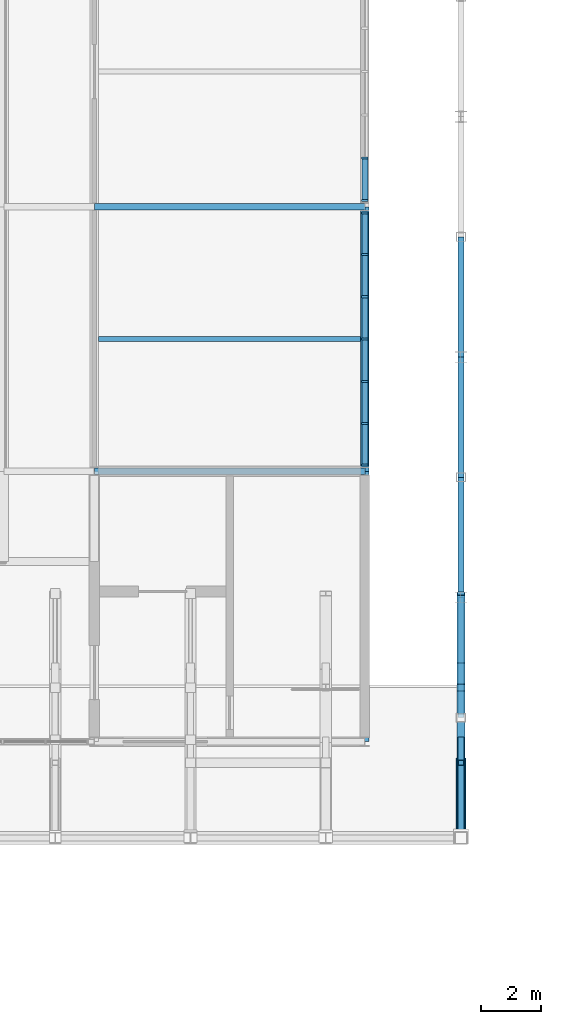
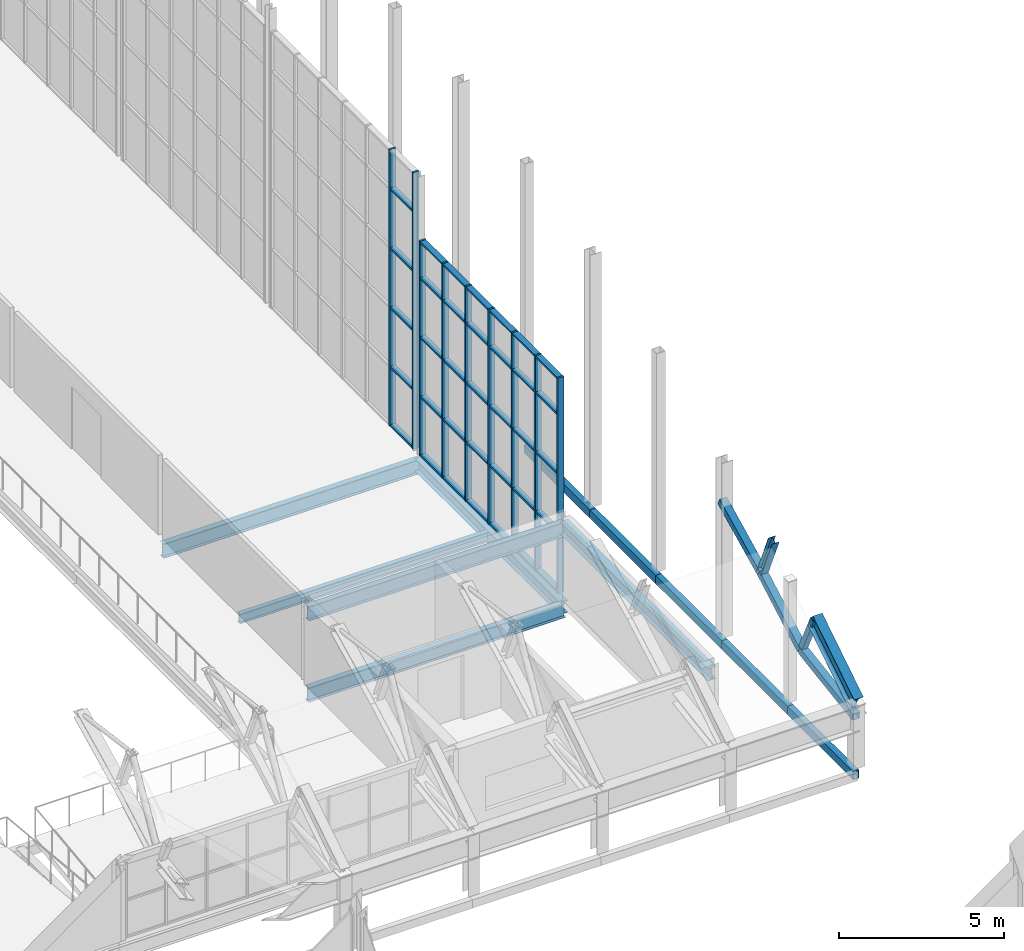
# One storey, part 81 of 134: 49 members, 12 beams, 2 elements without a shape of their own.
"""IFC4 building model written with IfcOpenShell, lengths in metres."""

from ifc_helpers import new_model, si_unit, direction, frame, origin, origin_2d, place, context, subcontext, project, spatial, rectangle, hollow_rectangle, i_section, extrude, material, layer, layer_set, material_profile, profile_set, type_object, element, aggregate, save


model = new_model("IFC4")

# Units and contexts
model_context = context("Model", 3, precision=1e-05, world=origin(), true_north=direction((0.0, 1.0)))
body_context = subcontext(model_context, "Body", "Model", "MODEL_VIEW")
ifc_project = project(units=[si_unit("LENGTHUNIT", "METRE"), si_unit("AREAUNIT", "SQUARE_METRE"), si_unit("VOLUMEUNIT", "CUBIC_METRE"), si_unit("PLANEANGLEUNIT", "RADIAN"), si_unit("MASSUNIT", "GRAM", prefix="KILO")], contexts=[model_context])

# Site, building, storey
site_placement = place(None, origin())
site = spatial("IfcSite", under=ifc_project, at=site_placement, CompositionType="ELEMENT")
building_placement = place(site_placement, origin())
building = spatial("IfcBuilding", under=site, at=building_placement, Name="Cazmaro Siding Exhibition Halls", CompositionType="ELEMENT")
storey_placement = place(building_placement, frame((0.0, 0.0, 12.0)))
storey = spatial("IfcBuildingStorey", under=building, at=storey_placement, Name="L02", CompositionType="ELEMENT", Elevation=12.0)

# Beams
ifc_material_1 = material(Name="Steel ASTM A992 Grade 50", Category="steel")
ifc_material_profile_1 = material_profile(ifc_material_1, i_section(OverallWidth=0.324951171875, OverallDepth=0.612060546875, WebThickness=0.012939453125, FlangeThickness=0.01904296875, at=origin_2d()), Name="W24X104")
ifc_profile_set_1 = profile_set([ifc_material_profile_1], Name="Steel ASTM A992 Grade 50")
beam_type_1 = type_object("IfcBeamType", Name="AR-02", PredefinedType="USERDEFINED", material=ifc_profile_set_1)
beam_1_placement = place(storey_placement, frame((171.0, 64.0, 2.300048828125), z_axis=(0.0, 0.843339173298, 0.537381650954), x_axis=(-1.0, 0.0, 0.0)))
element("IfcBeam", 1, at=beam_1_placement, inside=storey, type_object=beam_type_1, Name="Space frame barrel vault arched rib AR-02 BM-1207", ObjectType="ARCHED RIB", PredefinedType="USERDEFINED", context=body_context, shape_type="SweptSolid", body=[
    extrude(i_section(OverallWidth=0.324951171875, OverallDepth=0.612060546875, WebThickness=0.012939453125, FlangeThickness=0.01904296875, at=origin_2d()), origin(), (0.0, 0.0, 1.0), 2.96435546875),
])
ifc_material_2 = material(Name="Steel ASTM A992 Grade 50", Category="steel")
ifc_material_profile_2 = material_profile(ifc_material_2, i_section(OverallWidth=0.2099609375, OverallDepth=0.535888671875, WebThickness=0.010986328125, FlangeThickness=0.01708984375, at=origin_2d()), Name="W21X68")
ifc_profile_set_2 = profile_set([ifc_material_profile_2], Name="Steel ASTM A992 Grade 50")
beam_type_2 = type_object("IfcBeamType", Name="B-02", PredefinedType="BEAM", material=ifc_profile_set_2)
for number, where, z_axis, x_axis, name in (
    (2, (158.800048828125, 76.199951171875, 2.52197265625), (1.0, 0.0, 0.0), (0.0, 1.0, 0.0), "Beam B-02 BM-0258"),
    (3, (158.800048828125, 76.199951171875, -0.488037109375), (1.0, 0.0, 0.0), (0.0, 1.0, 0.0), "Beam B-02 BM-0519"),
    (4, (158.800048828125, 85.0, -0.488037109375), (1.0, 0.0, 0.0), (0.0, 1.0, 0.0), "Beam B-02 BM-0520"),
):
    element("IfcBeam", number, at=place(storey_placement, frame(where, z_axis=z_axis, x_axis=x_axis)), inside=storey, type_object=beam_type_2, Name=name, PredefinedType="BEAM", context=body_context, shape_type="SweptSolid", body=[
        extrude(i_section(OverallWidth=0.2099609375, OverallDepth=0.535888671875, WebThickness=0.010986328125, FlangeThickness=0.01708984375, at=origin_2d()), origin(), (0.0, 0.0, 1.0), 9.0),
    ])
ifc_material_3 = material(Name="Steel ASTM A992 Grade 50", Category="steel")
ifc_material_profile_3 = material_profile(ifc_material_3, i_section(OverallWidth=0.279052734375, OverallDepth=0.4619140625, WebThickness=0.010986328125, FlangeThickness=0.01708984375, at=origin_2d()), Name="W18X76")
ifc_profile_set_3 = profile_set([ifc_material_profile_3], Name="Steel ASTM A992 Grade 50")
beam_type_3 = type_object("IfcBeamType", Name="B-03", PredefinedType="BEAM", material=ifc_profile_set_3)
beam_2_placement = place(storey_placement, frame((167.800048828125, 67.199951171875, 2.55908203125), z_axis=(0.0, 1.0, 0.0), x_axis=(-1.0, 0.0, 0.0)))
element("IfcBeam", 5, at=beam_2_placement, inside=storey, type_object=beam_type_3, Name="Beam B-03 BM-0260", PredefinedType="BEAM", context=body_context, shape_type="SweptSolid", body=[
    extrude(i_section(OverallWidth=0.279052734375, OverallDepth=0.4619140625, WebThickness=0.010986328125, FlangeThickness=0.01708984375, at=origin_2d()), origin(), (0.0, 0.0, 1.0), 9.0),
])
beam_3_placement = place(storey_placement, frame((167.800048828125, 76.199951171875, -0.450927734375), z_axis=(0.0, 1.0, 0.0), x_axis=(-1.0, 0.0, 0.0)))
element("IfcBeam", 6, at=beam_3_placement, inside=storey, type_object=beam_type_3, Name="Beam B-03 BM-0523", PredefinedType="BEAM", context=body_context, shape_type="SweptSolid", body=[
    extrude(i_section(OverallWidth=0.279052734375, OverallDepth=0.4619140625, WebThickness=0.010986328125, FlangeThickness=0.01708984375, at=origin_2d()), origin(), (0.0, 0.0, 1.0), 8.800048828125),
])

# Curtain wall, members
ifc_material_4 = material(Name="Anodized Bronze Aluminum and Solar-Control Low-E Glazing", Category="aluminium")
ifc_layer = layer(ifc_material_4, 0.219970703125)
ifc_layer_set = layer_set([ifc_layer], Name="Anodized Bronze Aluminum and Solar-Control Low-E Glazing")
curtain_wall_type = type_object("IfcCurtainWallType", Name="CWS-03", PredefinedType="USERDEFINED", material=ifc_layer_set)
curtain_wall_1_placement = place(storey_placement, origin())
curtain_wall_1 = element("IfcCurtainWall", 7, at=curtain_wall_1_placement, inside=storey, type_object=curtain_wall_type, Name="Glazed Curtain Wall CWS-03 CW-067", ObjectType="GLAZED CURTAIN WALL", PredefinedType="USERDEFINED")
ifc_material_5 = material(Name="Anodized Bronze Extruded Aluminum", Category="aluminium")
ifc_material_profile_4 = material_profile(ifc_material_5, rectangle(XDim=0.219970703125, YDim=0.070068359375, at=origin_2d()), Name="CWM-03")
ifc_profile_set_4 = profile_set([ifc_material_profile_4], Name="Anodized Bronze Extruded Aluminum")
member_type_1 = type_object("IfcMemberType", Name="CWM-03", PredefinedType="MULLION", material=ifc_profile_set_4)
member_1_placement = place(storey_placement, frame((167.800048828125, 76.412109375, 0.0), z_axis=(0.0, 0.0, 1.0), x_axis=(-1.0, 0.0, 0.0)))
member_1 = element("IfcMember", 8, at=member_1_placement, type_object=member_type_1, Name="CWS-03 mullion 1", PredefinedType="MULLION", context=body_context, shape_type="SweptSolid", body=[
    extrude(rectangle(XDim=0.219970703125, YDim=0.070068359375, at=origin_2d()), origin(), (0.0, 0.0, 1.0), 7.972900390625),
])
member_2_placement = place(storey_placement, frame((167.800048828125, 77.78466796875, 0.0), z_axis=(0.0, 0.0, 1.0), x_axis=(-1.0, 0.0, 0.0)))
member_2 = element("IfcMember", 9, at=member_2_placement, type_object=member_type_1, Name="CWS-03 mullion 2", PredefinedType="MULLION", context=body_context, shape_type="SweptSolid", body=[
    extrude(rectangle(XDim=0.219970703125, YDim=0.070068359375, at=origin_2d()), origin(), (0.0, 0.0, 1.0), 7.972900390625),
])
member_3_placement = place(storey_placement, frame((167.800048828125, 79.1923828125, 0.0), z_axis=(0.0, 0.0, 1.0), x_axis=(-1.0, 0.0, 0.0)))
member_3 = element("IfcMember", 10, at=member_3_placement, type_object=member_type_1, Name="CWS-03 mullion 3", PredefinedType="MULLION", context=body_context, shape_type="SweptSolid", body=[
    extrude(rectangle(XDim=0.219970703125, YDim=0.070068359375, at=origin_2d()), origin(), (0.0, 0.0, 1.0), 7.972900390625),
])
member_4_placement = place(storey_placement, frame((167.800048828125, 80.60009765625, 0.0), z_axis=(0.0, 0.0, 1.0), x_axis=(-1.0, 0.0, 0.0)))
member_4 = element("IfcMember", 11, at=member_4_placement, type_object=member_type_1, Name="CWS-03 mullion 4", PredefinedType="MULLION", context=body_context, shape_type="SweptSolid", body=[
    extrude(rectangle(XDim=0.219970703125, YDim=0.070068359375, at=origin_2d()), origin(), (0.0, 0.0, 1.0), 7.972900390625),
])
member_5_placement = place(storey_placement, frame((167.800048828125, 82.007568359375, 0.0), z_axis=(0.0, 0.0, 1.0), x_axis=(-1.0, 0.0, 0.0)))
member_5 = element("IfcMember", 12, at=member_5_placement, type_object=member_type_1, Name="CWS-03 mullion 5", PredefinedType="MULLION", context=body_context, shape_type="SweptSolid", body=[
    extrude(rectangle(XDim=0.219970703125, YDim=0.070068359375, at=origin_2d()), origin(), (0.0, 0.0, 1.0), 7.972900390625),
])
member_6_placement = place(storey_placement, frame((167.800048828125, 83.415283203125, 0.0), z_axis=(0.0, 0.0, 1.0), x_axis=(-1.0, 0.0, 0.0)))
member_6 = element("IfcMember", 13, at=member_6_placement, type_object=member_type_1, Name="CWS-03 mullion 6", PredefinedType="MULLION", context=body_context, shape_type="SweptSolid", body=[
    extrude(rectangle(XDim=0.219970703125, YDim=0.070068359375, at=origin_2d()), origin(), (0.0, 0.0, 1.0), 7.972900390625),
])
member_7_placement = place(storey_placement, frame((167.800048828125, 84.7880859375, 0.0), z_axis=(0.0, 0.0, 1.0), x_axis=(-1.0, 0.0, 0.0)))
member_7 = element("IfcMember", 14, at=member_7_placement, type_object=member_type_1, Name="CWS-03 mullion 7", PredefinedType="MULLION", context=body_context, shape_type="SweptSolid", body=[
    extrude(rectangle(XDim=0.219970703125, YDim=0.070068359375, at=origin_2d()), origin(), (0.0, 0.0, 1.0), 7.972900390625),
])

curtain_wall_2_placement = place(storey_placement, origin())
curtain_wall_2 = element("IfcCurtainWall", 15, at=curtain_wall_2_placement, inside=storey, type_object=curtain_wall_type, Name="Glazed Curtain Wall CWS-03 CW-070", ObjectType="GLAZED CURTAIN WALL", PredefinedType="USERDEFINED")
member_8_placement = place(storey_placement, frame((167.800048828125, 85.2119140625, 0.0), z_axis=(0.0, 0.0, 1.0), x_axis=(-1.0, 0.0, 0.0)))
member_8 = element("IfcMember", 16, at=member_8_placement, type_object=member_type_1, Name="CWS-03 mullion 1", PredefinedType="MULLION", context=body_context, shape_type="SweptSolid", body=[
    extrude(rectangle(XDim=0.219970703125, YDim=0.070068359375, at=origin_2d()), origin(), (0.0, 0.0, 1.0), 10.258056640625),
])
member_9_placement = place(storey_placement, frame((167.800048828125, 86.617919921875, 0.0), z_axis=(0.0, 0.0, 1.0), x_axis=(-1.0, 0.0, 0.0)))
member_9 = element("IfcMember", 17, at=member_9_placement, type_object=member_type_1, Name="CWS-03 mullion 2", PredefinedType="MULLION", context=body_context, shape_type="SweptSolid", body=[
    extrude(rectangle(XDim=0.219970703125, YDim=0.070068359375, at=origin_2d()), origin(), (0.0, 0.0, 1.0), 10.258056640625),
])

# Member
ifc_material_6 = material(Name="Anodized Bronze Extruded Aluminum", Category="aluminium")
ifc_material_profile_5 = material_profile(ifc_material_6, rectangle(XDim=0.199951171875, YDim=0.070068359375, at=origin_2d()), Name="CWT-03")
ifc_profile_set_5 = profile_set([ifc_material_profile_5], Name="Anodized Bronze Extruded Aluminum")
member_type_2 = type_object("IfcMemberType", Name="CWT-03", PredefinedType="MULLION", material=ifc_profile_set_5)
member_10_placement = place(storey_placement, frame((167.800048828125, 76.447021484375, 0.034912109375), z_axis=(0.0, 1.0, 0.0), x_axis=(-1.0, 0.0, 0.0)))
member_10 = element("IfcMember", 18, at=member_10_placement, type_object=member_type_2, Name="CWS-03 transom 1.1", ObjectType="TRANSOM", PredefinedType="USERDEFINED", context=body_context, shape_type="SweptSolid", body=[
    extrude(rectangle(XDim=0.199951171875, YDim=0.070068359375, at=origin_2d()), origin(), (0.0, 0.0, 1.0), 1.302734375),
])

member_11_placement = place(storey_placement, frame((167.800048828125, 76.447021484375, 2.199951171875), z_axis=(0.0, 1.0, 0.0), x_axis=(-1.0, 0.0, 0.0)))
member_11 = element("IfcMember", 19, at=member_11_placement, type_object=member_type_2, Name="CWS-03 transom 1.2", ObjectType="TRANSOM", PredefinedType="USERDEFINED", context=body_context, shape_type="SweptSolid", body=[
    extrude(rectangle(XDim=0.199951171875, YDim=0.070068359375, at=origin_2d()), origin(), (0.0, 0.0, 1.0), 1.302734375),
])

member_12_placement = place(storey_placement, frame((167.800048828125, 76.447021484375, 4.39990234375), z_axis=(0.0, 1.0, 0.0), x_axis=(-1.0, 0.0, 0.0)))
member_12 = element("IfcMember", 20, at=member_12_placement, type_object=member_type_2, Name="CWS-03 transom 1.3", ObjectType="TRANSOM", PredefinedType="USERDEFINED", context=body_context, shape_type="SweptSolid", body=[
    extrude(rectangle(XDim=0.199951171875, YDim=0.070068359375, at=origin_2d()), origin(), (0.0, 0.0, 1.0), 1.302734375),
])

member_13_placement = place(storey_placement, frame((167.800048828125, 76.447021484375, 6.60009765625), z_axis=(0.0, 1.0, 0.0), x_axis=(-1.0, 0.0, 0.0)))
member_13 = element("IfcMember", 21, at=member_13_placement, type_object=member_type_2, Name="CWS-03 transom 1.4", ObjectType="TRANSOM", PredefinedType="USERDEFINED", context=body_context, shape_type="SweptSolid", body=[
    extrude(rectangle(XDim=0.199951171875, YDim=0.070068359375, at=origin_2d()), origin(), (0.0, 0.0, 1.0), 1.302734375),
])

member_14_placement = place(storey_placement, frame((167.800048828125, 76.447021484375, 7.93798828125), z_axis=(0.0, 1.0, 0.0), x_axis=(-1.0, 0.0, 0.0)))
member_14 = element("IfcMember", 22, at=member_14_placement, type_object=member_type_2, Name="CWS-03 transom 1.5", ObjectType="TRANSOM", PredefinedType="USERDEFINED", context=body_context, shape_type="SweptSolid", body=[
    extrude(rectangle(XDim=0.199951171875, YDim=0.070068359375, at=origin_2d()), origin(), (0.0, 0.0, 1.0), 1.302734375),
])

member_15_placement = place(storey_placement, frame((167.800048828125, 77.819580078125, 0.034912109375), z_axis=(0.0, 1.0, 0.0), x_axis=(-1.0, 0.0, 0.0)))
member_15 = element("IfcMember", 23, at=member_15_placement, type_object=member_type_2, Name="CWS-03 transom 2.1", ObjectType="TRANSOM", PredefinedType="USERDEFINED", context=body_context, shape_type="SweptSolid", body=[
    extrude(rectangle(XDim=0.199951171875, YDim=0.070068359375, at=origin_2d()), origin(), (0.0, 0.0, 1.0), 1.337646484375),
])

member_16_placement = place(storey_placement, frame((167.800048828125, 77.819580078125, 2.199951171875), z_axis=(0.0, 1.0, 0.0), x_axis=(-1.0, 0.0, 0.0)))
member_16 = element("IfcMember", 24, at=member_16_placement, type_object=member_type_2, Name="CWS-03 transom 2.2", ObjectType="TRANSOM", PredefinedType="USERDEFINED", context=body_context, shape_type="SweptSolid", body=[
    extrude(rectangle(XDim=0.199951171875, YDim=0.070068359375, at=origin_2d()), origin(), (0.0, 0.0, 1.0), 1.337646484375),
])

member_17_placement = place(storey_placement, frame((167.800048828125, 77.819580078125, 4.39990234375), z_axis=(0.0, 1.0, 0.0), x_axis=(-1.0, 0.0, 0.0)))
member_17 = element("IfcMember", 25, at=member_17_placement, type_object=member_type_2, Name="CWS-03 transom 2.3", ObjectType="TRANSOM", PredefinedType="USERDEFINED", context=body_context, shape_type="SweptSolid", body=[
    extrude(rectangle(XDim=0.199951171875, YDim=0.070068359375, at=origin_2d()), origin(), (0.0, 0.0, 1.0), 1.337646484375),
])

member_18_placement = place(storey_placement, frame((167.800048828125, 77.819580078125, 6.60009765625), z_axis=(0.0, 1.0, 0.0), x_axis=(-1.0, 0.0, 0.0)))
member_18 = element("IfcMember", 26, at=member_18_placement, type_object=member_type_2, Name="CWS-03 transom 2.4", ObjectType="TRANSOM", PredefinedType="USERDEFINED", context=body_context, shape_type="SweptSolid", body=[
    extrude(rectangle(XDim=0.199951171875, YDim=0.070068359375, at=origin_2d()), origin(), (0.0, 0.0, 1.0), 1.337646484375),
])

member_19_placement = place(storey_placement, frame((167.800048828125, 77.819580078125, 7.93798828125), z_axis=(0.0, 1.0, 0.0), x_axis=(-1.0, 0.0, 0.0)))
member_19 = element("IfcMember", 27, at=member_19_placement, type_object=member_type_2, Name="CWS-03 transom 2.5", ObjectType="TRANSOM", PredefinedType="USERDEFINED", context=body_context, shape_type="SweptSolid", body=[
    extrude(rectangle(XDim=0.199951171875, YDim=0.070068359375, at=origin_2d()), origin(), (0.0, 0.0, 1.0), 1.337646484375),
])

member_20_placement = place(storey_placement, frame((167.800048828125, 79.227294921875, 0.034912109375), z_axis=(0.0, 1.0, 0.0), x_axis=(-1.0, 0.0, 0.0)))
member_20 = element("IfcMember", 28, at=member_20_placement, type_object=member_type_2, Name="CWS-03 transom 3.1", ObjectType="TRANSOM", PredefinedType="USERDEFINED", context=body_context, shape_type="SweptSolid", body=[
    extrude(rectangle(XDim=0.199951171875, YDim=0.070068359375, at=origin_2d()), origin(), (0.0, 0.0, 1.0), 1.337646484375),
])

member_21_placement = place(storey_placement, frame((167.800048828125, 79.227294921875, 2.199951171875), z_axis=(0.0, 1.0, 0.0), x_axis=(-1.0, 0.0, 0.0)))
member_21 = element("IfcMember", 29, at=member_21_placement, type_object=member_type_2, Name="CWS-03 transom 3.2", ObjectType="TRANSOM", PredefinedType="USERDEFINED", context=body_context, shape_type="SweptSolid", body=[
    extrude(rectangle(XDim=0.199951171875, YDim=0.070068359375, at=origin_2d()), origin(), (0.0, 0.0, 1.0), 1.337646484375),
])

member_22_placement = place(storey_placement, frame((167.800048828125, 79.227294921875, 4.39990234375), z_axis=(0.0, 1.0, 0.0), x_axis=(-1.0, 0.0, 0.0)))
member_22 = element("IfcMember", 30, at=member_22_placement, type_object=member_type_2, Name="CWS-03 transom 3.3", ObjectType="TRANSOM", PredefinedType="USERDEFINED", context=body_context, shape_type="SweptSolid", body=[
    extrude(rectangle(XDim=0.199951171875, YDim=0.070068359375, at=origin_2d()), origin(), (0.0, 0.0, 1.0), 1.337646484375),
])

member_23_placement = place(storey_placement, frame((167.800048828125, 79.227294921875, 6.60009765625), z_axis=(0.0, 1.0, 0.0), x_axis=(-1.0, 0.0, 0.0)))
member_23 = element("IfcMember", 31, at=member_23_placement, type_object=member_type_2, Name="CWS-03 transom 3.4", ObjectType="TRANSOM", PredefinedType="USERDEFINED", context=body_context, shape_type="SweptSolid", body=[
    extrude(rectangle(XDim=0.199951171875, YDim=0.070068359375, at=origin_2d()), origin(), (0.0, 0.0, 1.0), 1.337646484375),
])

member_24_placement = place(storey_placement, frame((167.800048828125, 79.227294921875, 7.93798828125), z_axis=(0.0, 1.0, 0.0), x_axis=(-1.0, 0.0, 0.0)))
member_24 = element("IfcMember", 32, at=member_24_placement, type_object=member_type_2, Name="CWS-03 transom 3.5", ObjectType="TRANSOM", PredefinedType="USERDEFINED", context=body_context, shape_type="SweptSolid", body=[
    extrude(rectangle(XDim=0.199951171875, YDim=0.070068359375, at=origin_2d()), origin(), (0.0, 0.0, 1.0), 1.337646484375),
])

member_25_placement = place(storey_placement, frame((167.800048828125, 80.635009765625, 0.034912109375), z_axis=(0.0, 1.0, 0.0), x_axis=(-1.0, 0.0, 0.0)))
member_25 = element("IfcMember", 33, at=member_25_placement, type_object=member_type_2, Name="CWS-03 transom 4.1", ObjectType="TRANSOM", PredefinedType="USERDEFINED", context=body_context, shape_type="SweptSolid", body=[
    extrude(rectangle(XDim=0.199951171875, YDim=0.070068359375, at=origin_2d()), origin(), (0.0, 0.0, 1.0), 1.337646484375),
])

member_26_placement = place(storey_placement, frame((167.800048828125, 80.635009765625, 2.199951171875), z_axis=(0.0, 1.0, 0.0), x_axis=(-1.0, 0.0, 0.0)))
member_26 = element("IfcMember", 34, at=member_26_placement, type_object=member_type_2, Name="CWS-03 transom 4.2", ObjectType="TRANSOM", PredefinedType="USERDEFINED", context=body_context, shape_type="SweptSolid", body=[
    extrude(rectangle(XDim=0.199951171875, YDim=0.070068359375, at=origin_2d()), origin(), (0.0, 0.0, 1.0), 1.337646484375),
])

member_27_placement = place(storey_placement, frame((167.800048828125, 80.635009765625, 4.39990234375), z_axis=(0.0, 1.0, 0.0), x_axis=(-1.0, 0.0, 0.0)))
member_27 = element("IfcMember", 35, at=member_27_placement, type_object=member_type_2, Name="CWS-03 transom 4.3", ObjectType="TRANSOM", PredefinedType="USERDEFINED", context=body_context, shape_type="SweptSolid", body=[
    extrude(rectangle(XDim=0.199951171875, YDim=0.070068359375, at=origin_2d()), origin(), (0.0, 0.0, 1.0), 1.337646484375),
])

member_28_placement = place(storey_placement, frame((167.800048828125, 80.635009765625, 6.60009765625), z_axis=(0.0, 1.0, 0.0), x_axis=(-1.0, 0.0, 0.0)))
member_28 = element("IfcMember", 36, at=member_28_placement, type_object=member_type_2, Name="CWS-03 transom 4.4", ObjectType="TRANSOM", PredefinedType="USERDEFINED", context=body_context, shape_type="SweptSolid", body=[
    extrude(rectangle(XDim=0.199951171875, YDim=0.070068359375, at=origin_2d()), origin(), (0.0, 0.0, 1.0), 1.337646484375),
])

member_29_placement = place(storey_placement, frame((167.800048828125, 80.635009765625, 7.93798828125), z_axis=(0.0, 1.0, 0.0), x_axis=(-1.0, 0.0, 0.0)))
member_29 = element("IfcMember", 37, at=member_29_placement, type_object=member_type_2, Name="CWS-03 transom 4.5", ObjectType="TRANSOM", PredefinedType="USERDEFINED", context=body_context, shape_type="SweptSolid", body=[
    extrude(rectangle(XDim=0.199951171875, YDim=0.070068359375, at=origin_2d()), origin(), (0.0, 0.0, 1.0), 1.337646484375),
])

member_30_placement = place(storey_placement, frame((167.800048828125, 82.042724609375, 0.034912109375), z_axis=(0.0, 1.0, 0.0), x_axis=(-1.0, 0.0, 0.0)))
member_30 = element("IfcMember", 38, at=member_30_placement, type_object=member_type_2, Name="CWS-03 transom 5.1", ObjectType="TRANSOM", PredefinedType="USERDEFINED", context=body_context, shape_type="SweptSolid", body=[
    extrude(rectangle(XDim=0.199951171875, YDim=0.070068359375, at=origin_2d()), origin(), (0.0, 0.0, 1.0), 1.337646484375),
])

member_31_placement = place(storey_placement, frame((167.800048828125, 82.042724609375, 2.199951171875), z_axis=(0.0, 1.0, 0.0), x_axis=(-1.0, 0.0, 0.0)))
member_31 = element("IfcMember", 39, at=member_31_placement, type_object=member_type_2, Name="CWS-03 transom 5.2", ObjectType="TRANSOM", PredefinedType="USERDEFINED", context=body_context, shape_type="SweptSolid", body=[
    extrude(rectangle(XDim=0.199951171875, YDim=0.070068359375, at=origin_2d()), origin(), (0.0, 0.0, 1.0), 1.337646484375),
])

member_32_placement = place(storey_placement, frame((167.800048828125, 82.042724609375, 4.39990234375), z_axis=(0.0, 1.0, 0.0), x_axis=(-1.0, 0.0, 0.0)))
member_32 = element("IfcMember", 40, at=member_32_placement, type_object=member_type_2, Name="CWS-03 transom 5.3", ObjectType="TRANSOM", PredefinedType="USERDEFINED", context=body_context, shape_type="SweptSolid", body=[
    extrude(rectangle(XDim=0.199951171875, YDim=0.070068359375, at=origin_2d()), origin(), (0.0, 0.0, 1.0), 1.337646484375),
])

member_33_placement = place(storey_placement, frame((167.800048828125, 82.042724609375, 6.60009765625), z_axis=(0.0, 1.0, 0.0), x_axis=(-1.0, 0.0, 0.0)))
member_33 = element("IfcMember", 41, at=member_33_placement, type_object=member_type_2, Name="CWS-03 transom 5.4", ObjectType="TRANSOM", PredefinedType="USERDEFINED", context=body_context, shape_type="SweptSolid", body=[
    extrude(rectangle(XDim=0.199951171875, YDim=0.070068359375, at=origin_2d()), origin(), (0.0, 0.0, 1.0), 1.337646484375),
])

member_34_placement = place(storey_placement, frame((167.800048828125, 82.042724609375, 7.93798828125), z_axis=(0.0, 1.0, 0.0), x_axis=(-1.0, 0.0, 0.0)))
member_34 = element("IfcMember", 42, at=member_34_placement, type_object=member_type_2, Name="CWS-03 transom 5.5", ObjectType="TRANSOM", PredefinedType="USERDEFINED", context=body_context, shape_type="SweptSolid", body=[
    extrude(rectangle(XDim=0.199951171875, YDim=0.070068359375, at=origin_2d()), origin(), (0.0, 0.0, 1.0), 1.337646484375),
])

member_35_placement = place(storey_placement, frame((167.800048828125, 83.450439453125, 0.034912109375), z_axis=(0.0, 1.0, 0.0), x_axis=(-1.0, 0.0, 0.0)))
member_35 = element("IfcMember", 43, at=member_35_placement, type_object=member_type_2, Name="CWS-03 transom 6.1", ObjectType="TRANSOM", PredefinedType="USERDEFINED", context=body_context, shape_type="SweptSolid", body=[
    extrude(rectangle(XDim=0.199951171875, YDim=0.070068359375, at=origin_2d()), origin(), (0.0, 0.0, 1.0), 1.302490234375),
])

member_36_placement = place(storey_placement, frame((167.800048828125, 83.450439453125, 2.199951171875), z_axis=(0.0, 1.0, 0.0), x_axis=(-1.0, 0.0, 0.0)))
member_36 = element("IfcMember", 44, at=member_36_placement, type_object=member_type_2, Name="CWS-03 transom 6.2", ObjectType="TRANSOM", PredefinedType="USERDEFINED", context=body_context, shape_type="SweptSolid", body=[
    extrude(rectangle(XDim=0.199951171875, YDim=0.070068359375, at=origin_2d()), origin(), (0.0, 0.0, 1.0), 1.302490234375),
])

member_37_placement = place(storey_placement, frame((167.800048828125, 83.450439453125, 4.39990234375), z_axis=(0.0, 1.0, 0.0), x_axis=(-1.0, 0.0, 0.0)))
member_37 = element("IfcMember", 45, at=member_37_placement, type_object=member_type_2, Name="CWS-03 transom 6.3", ObjectType="TRANSOM", PredefinedType="USERDEFINED", context=body_context, shape_type="SweptSolid", body=[
    extrude(rectangle(XDim=0.199951171875, YDim=0.070068359375, at=origin_2d()), origin(), (0.0, 0.0, 1.0), 1.302490234375),
])

member_38_placement = place(storey_placement, frame((167.800048828125, 83.450439453125, 6.60009765625), z_axis=(0.0, 1.0, 0.0), x_axis=(-1.0, 0.0, 0.0)))
member_38 = element("IfcMember", 46, at=member_38_placement, type_object=member_type_2, Name="CWS-03 transom 6.4", ObjectType="TRANSOM", PredefinedType="USERDEFINED", context=body_context, shape_type="SweptSolid", body=[
    extrude(rectangle(XDim=0.199951171875, YDim=0.070068359375, at=origin_2d()), origin(), (0.0, 0.0, 1.0), 1.302490234375),
])

member_39_placement = place(storey_placement, frame((167.800048828125, 83.450439453125, 7.93798828125), z_axis=(0.0, 1.0, 0.0), x_axis=(-1.0, 0.0, 0.0)))
member_39 = element("IfcMember", 47, at=member_39_placement, type_object=member_type_2, Name="CWS-03 transom 6.5", ObjectType="TRANSOM", PredefinedType="USERDEFINED", context=body_context, shape_type="SweptSolid", body=[
    extrude(rectangle(XDim=0.199951171875, YDim=0.070068359375, at=origin_2d()), origin(), (0.0, 0.0, 1.0), 1.302490234375),
])

aggregate(curtain_wall_1, [member_1, member_2, member_3, member_4, member_5, member_6, member_7, member_10, member_11, member_12, member_13, member_14, member_15, member_16, member_17, member_18, member_19, member_20, member_21, member_22, member_23, member_24, member_25, member_26, member_27, member_28, member_29, member_30, member_31, member_32, member_33, member_34, member_35, member_36, member_37, member_38, member_39])

member_40_placement = place(storey_placement, frame((167.800048828125, 85.2470703125, 0.034912109375), z_axis=(0.0, 1.0, 0.0), x_axis=(-1.0, 0.0, 0.0)))
member_40 = element("IfcMember", 48, at=member_40_placement, type_object=member_type_2, Name="CWS-03 transom 1.1", ObjectType="TRANSOM", PredefinedType="USERDEFINED", context=body_context, shape_type="SweptSolid", body=[
    extrude(rectangle(XDim=0.199951171875, YDim=0.070068359375, at=origin_2d()), origin(), (0.0, 0.0, 1.0), 1.3359375),
])

member_41_placement = place(storey_placement, frame((167.800048828125, 85.2470703125, 2.199951171875), z_axis=(0.0, 1.0, 0.0), x_axis=(-1.0, 0.0, 0.0)))
member_41 = element("IfcMember", 49, at=member_41_placement, type_object=member_type_2, Name="CWS-03 transom 1.2", ObjectType="TRANSOM", PredefinedType="USERDEFINED", context=body_context, shape_type="SweptSolid", body=[
    extrude(rectangle(XDim=0.199951171875, YDim=0.070068359375, at=origin_2d()), origin(), (0.0, 0.0, 1.0), 1.3359375),
])

member_42_placement = place(storey_placement, frame((167.800048828125, 85.2470703125, 4.39990234375), z_axis=(0.0, 1.0, 0.0), x_axis=(-1.0, 0.0, 0.0)))
member_42 = element("IfcMember", 50, at=member_42_placement, type_object=member_type_2, Name="CWS-03 transom 1.3", ObjectType="TRANSOM", PredefinedType="USERDEFINED", context=body_context, shape_type="SweptSolid", body=[
    extrude(rectangle(XDim=0.199951171875, YDim=0.070068359375, at=origin_2d()), origin(), (0.0, 0.0, 1.0), 1.3359375),
])

member_43_placement = place(storey_placement, frame((167.800048828125, 85.2470703125, 6.60009765625), z_axis=(0.0, 1.0, 0.0), x_axis=(-1.0, 0.0, 0.0)))
member_43 = element("IfcMember", 51, at=member_43_placement, type_object=member_type_2, Name="CWS-03 transom 1.4", ObjectType="TRANSOM", PredefinedType="USERDEFINED", context=body_context, shape_type="SweptSolid", body=[
    extrude(rectangle(XDim=0.199951171875, YDim=0.070068359375, at=origin_2d()), origin(), (0.0, 0.0, 1.0), 1.3359375),
])

member_44_placement = place(storey_placement, frame((167.800048828125, 85.2470703125, 8.800048828125), z_axis=(0.0, 1.0, 0.0), x_axis=(-1.0, 0.0, 0.0)))
member_44 = element("IfcMember", 52, at=member_44_placement, type_object=member_type_2, Name="CWS-03 transom 1.5", ObjectType="TRANSOM", PredefinedType="USERDEFINED", context=body_context, shape_type="SweptSolid", body=[
    extrude(rectangle(XDim=0.199951171875, YDim=0.070068359375, at=origin_2d()), origin(), (0.0, 0.0, 1.0), 1.3359375),
])

aggregate(curtain_wall_2, [member_8, member_9, member_40, member_41, member_42, member_43, member_44])

# Beams
ifc_material_7 = material(Name="Steel ASTM A992 Grade 50", Category="steel")
ifc_material_profile_6 = material_profile(ifc_material_7, i_section(OverallWidth=0.1708984375, OverallDepth=0.35595703125, WebThickness=0.007080078125, FlangeThickness=0.011962890625, at=origin_2d()), Name="W14X34")
ifc_profile_set_6 = profile_set([ifc_material_profile_6], Name="Steel ASTM A992 Grade 50")
beam_type_4 = type_object("IfcBeamType", Name="J-04", PredefinedType="JOIST", material=ifc_profile_set_6)
beam_4_placement = place(storey_placement, frame((158.93994140625, 80.60009765625, -0.39794921875), z_axis=(1.0, 0.0, 0.0), x_axis=(0.0, 1.0, 0.0)))
element("IfcBeam", 53, at=beam_4_placement, inside=storey, type_object=beam_type_4, Name="Beam J-04 BM-0524", PredefinedType="JOIST", context=body_context, shape_type="SweptSolid", body=[
    extrude(i_section(OverallWidth=0.1708984375, OverallDepth=0.35595703125, WebThickness=0.007080078125, FlangeThickness=0.011962890625, at=origin_2d()), origin(), (0.0, 0.0, 1.0), 8.719970703125),
])
ifc_material_8 = material(Name="Steel ASTM A500 Grade C", Category="steel")
ifc_material_profile_7 = material_profile(ifc_material_8, hollow_rectangle(XDim=0.202880859375, YDim=0.304931640625, WallThickness=0.011962890625, at=origin_2d()), Name="HSS12X8X1/2")
ifc_profile_set_7 = profile_set([ifc_material_profile_7], Name="Steel ASTM A500 Grade C")
beam_type_5 = type_object("IfcBeamType", Name="SP-01", PredefinedType="SPANDREL", material=ifc_profile_set_7)
for number, where, z_axis, x_axis, name in (
    (54, (171.0, 64.0, -0.373046875), (0.0, 1.0, 0.0), (-1.0, 0.0, 0.0), "Beam SP-01 BM-0032"),
    (55, (171.0, 68.0, -0.373046875), (0.0, 1.0, 0.0), (-1.0, 0.0, 0.0), "Beam SP-01 BM-0034"),
    (56, (171.0, 72.0, -0.373046875), (0.0, 1.0, 0.0), (-1.0, 0.0, 0.0), "Beam SP-01 BM-0036"),
    (57, (171.0, 76.0, -0.373046875), (0.0, 1.0, 0.0), (-1.0, 0.0, 0.0), "Beam SP-01 BM-0038"),
    (58, (171.0, 80.0, -0.373046875), (0.0, 1.0, 0.0), (-1.0, 0.0, 0.0), "Beam SP-01 BM-0040"),
):
    element("IfcBeam", number, at=place(storey_placement, frame(where, z_axis=z_axis, x_axis=x_axis)), inside=storey, type_object=beam_type_5, Name=name, PredefinedType="SPANDREL", context=body_context, shape_type="SweptSolid", body=[
        extrude(hollow_rectangle(XDim=0.202880859375, YDim=0.304931640625, WallThickness=0.011962890625, at=origin_2d()), origin(), (0.0, 0.0, 1.0), 4.0),
    ])

# Members
ifc_material_9 = material(Name="Steel ASTM A500 Grade C", Category="steel")
ifc_material_profile_8 = material_profile(ifc_material_9, hollow_rectangle(XDim=0.25390625, YDim=0.25390625, WallThickness=0.014892578125, at=origin_2d()), Name="HSS10X10X5/8")
ifc_profile_set_8 = profile_set([ifc_material_profile_8], Name="Steel ASTM A500 Grade C")
member_type_3 = type_object("IfcMemberType", Name="TC-01", PredefinedType="CHORD", material=ifc_profile_set_8)
member_45_placement = place(storey_placement, frame((171.0, 64.0, 1.800048828125), z_axis=(0.0, 0.988252010809, 0.152833121839), x_axis=(-1.0, 0.0, 0.0)))
element("IfcMember", 59, at=member_45_placement, inside=storey, type_object=member_type_3, Name="Space frame barrel vault bottom chord TC-01 MEM-1917", PredefinedType="CHORD", context=body_context, shape_type="SweptSolid", body=[
    extrude(hollow_rectangle(XDim=0.25390625, YDim=0.25390625, WallThickness=0.014892578125, at=origin_2d()), origin(), (0.0, 0.0, 1.0), 3.309814453125),
])
member_46_placement = place(storey_placement, frame((171.0, 67.27099609375, 2.305908203125), z_axis=(0.0, 0.871222319466, 0.490888653428), x_axis=(-1.0, 0.0, 0.0)))
element("IfcMember", 60, at=member_46_placement, inside=storey, type_object=member_type_3, Name="Space frame barrel vault bottom chord TC-01 MEM-1918", PredefinedType="CHORD", context=body_context, shape_type="SweptSolid", body=[
    extrude(hollow_rectangle(XDim=0.25390625, YDim=0.25390625, WallThickness=0.014892578125, at=origin_2d()), origin(), (0.0, 0.0, 1.0), 2.7890625),
])
member_47_placement = place(storey_placement, frame((171.0, 69.700927734375, 3.675048828125), z_axis=(0.0, 0.896077457924, 0.443897724033), x_axis=(-1.0, 0.0, 0.0)))
element("IfcMember", 61, at=member_47_placement, inside=storey, type_object=member_type_3, Name="Space frame barrel vault bottom chord TC-01 MEM-1919", PredefinedType="CHORD", context=body_context, shape_type="SweptSolid", body=[
    extrude(hollow_rectangle(XDim=0.25390625, YDim=0.25390625, WallThickness=0.014892578125, at=origin_2d()), origin(), (0.0, 0.0, 1.0), 2.7119140625),
])
ifc_material_10 = material(Name="Steel ASTM A500 Grade C", Category="steel")
ifc_material_profile_9 = material_profile(ifc_material_10, hollow_rectangle(XDim=0.202880859375, YDim=0.202880859375, WallThickness=0.011962890625, at=origin_2d()), Name="HSS8X8X1/2")
ifc_profile_set_9 = profile_set([ifc_material_profile_9], Name="Steel ASTM A500 Grade C")
member_type_4 = type_object("IfcMemberType", Name="TP-01", PredefinedType="POST", material=ifc_profile_set_9)
member_48_placement = place(storey_placement, frame((171.0, 67.27099609375, 2.305908203125), z_axis=(0.0, -0.436945543824, 0.89948796086), x_axis=(1.0, 0.0, 0.0)))
element("IfcMember", 62, at=member_48_placement, inside=storey, type_object=member_type_4, Name="Space frame barrel vault post TP-01 MEM-1941", PredefinedType="POST", context=body_context, shape_type="SweptSolid", body=[
    extrude(hollow_rectangle(XDim=0.202880859375, YDim=0.202880859375, WallThickness=0.011962890625, at=origin_2d()), origin(), (0.0, 0.0, 1.0), 1.764404296875),
])
ifc_material_11 = material(Name="Steel ASTM A992 Grade 50", Category="steel")
ifc_material_profile_10 = material_profile(ifc_material_11, i_section(OverallWidth=0.25390625, OverallDepth=0.25390625, WebThickness=0.009033203125, FlangeThickness=0.013916015625, at=origin_2d()), Name="W10X49")
ifc_profile_set_10 = profile_set([ifc_material_profile_10], Name="Steel ASTM A992 Grade 50")
member_type_5 = type_object("IfcMemberType", Name="TP-04", PredefinedType="POST", material=ifc_profile_set_10)
member_49_placement = place(storey_placement, frame((171.0, 69.700927734375, 3.675048828125), z_axis=(0.0, -0.395865434272, 0.918308530913), x_axis=(1.0, 0.0, 0.0)))
element("IfcMember", 63, at=member_49_placement, inside=storey, type_object=member_type_5, Name="Space frame barrel vault post TP-04 MEM-1942", PredefinedType="POST", context=body_context, shape_type="SweptSolid", body=[
    extrude(i_section(OverallWidth=0.25390625, OverallDepth=0.25390625, WebThickness=0.009033203125, FlangeThickness=0.013916015625, at=origin_2d()), origin(), (0.0, 0.0, 1.0), 1.7705078125),
])

save(model, "model.ifc")
